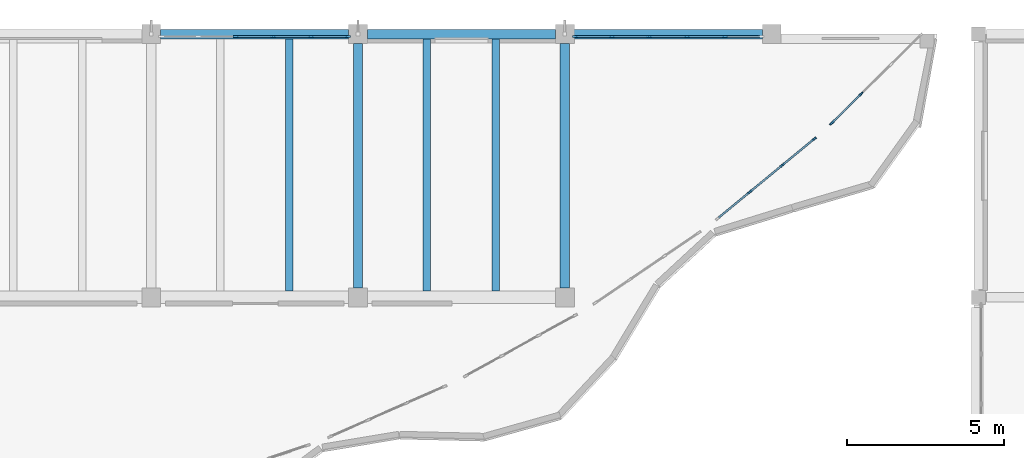
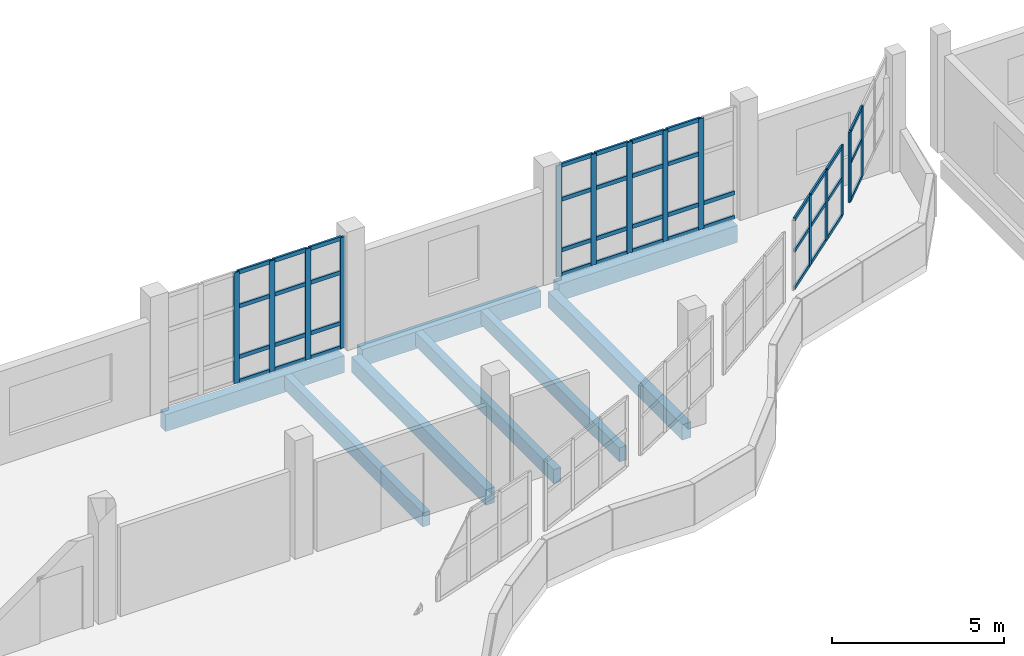
# One storey, part 30 of 74: 56 members, 8 beams, 4 elements without a shape of their own.
"""IFC4 building model written with IfcOpenShell, lengths in metres."""

from ifc_helpers import new_model, si_unit, direction, frame, origin, origin_2d, place, context, subcontext, project, spatial, rectangle, extrude, material, material_profile, profile_set, type_object, element, aggregate, save


model = new_model("IFC4")

# Units and contexts
model_context = context("Model", 3, precision=1e-05, world=origin(), true_north=direction((0.0, 1.0)))
body_context = subcontext(model_context, "Body", "Model", "MODEL_VIEW")
ifc_project = project(units=[si_unit("LENGTHUNIT", "METRE"), si_unit("AREAUNIT", "SQUARE_METRE"), si_unit("VOLUMEUNIT", "CUBIC_METRE"), si_unit("PLANEANGLEUNIT", "RADIAN"), si_unit("MASSUNIT", "GRAM", prefix="KILO")], contexts=[model_context])

# Site, building, storey
site_placement = place(None, origin())
site = spatial("IfcSite", under=ifc_project, at=site_placement, CompositionType="ELEMENT")
building_placement = place(site_placement, origin())
building = spatial("IfcBuilding", under=site, at=building_placement, Name="Qaldarim Faculty of Natural and Applied Sciences", CompositionType="ELEMENT")
storey_placement = place(building_placement, frame((0.0, 0.0, 14.39990234375)))
storey = spatial("IfcBuildingStorey", under=building, at=storey_placement, Name="L03", CompositionType="ELEMENT", Elevation=14.39990234375)

# Beams
ifc_material_1 = material(Name="Concrete C40/50", Category="concrete")
ifc_material_profile_1 = material_profile(ifc_material_1, rectangle(XDim=0.300048828125, YDim=0.550048828125, at=origin_2d()), Name="RC-B300x550")
ifc_profile_set_1 = profile_set([ifc_material_profile_1], Name="Concrete C40/50")
beam_type_1 = type_object("IfcBeamType", Name="FloorBeam-RC300x550", PredefinedType="BEAM", material=ifc_profile_set_1)
for number, where, z_axis, x_axis, name in (
    (1, (132.0, 109.5, -0.534912109375), (0.0, 1.0, 0.0), (-1.0, 0.0, 0.0), "Beam RC-B300x550 L02 X21/Y14-Y15"),
    (2, (138.60009765625, 109.5, -0.534912109375), (0.0, 1.0, 0.0), (-1.0, 0.0, 0.0), "Beam RC-B300x550 L02 X22/Y14-Y15"),
):
    element("IfcBeam", number, at=place(storey_placement, frame(where, z_axis=z_axis, x_axis=x_axis)), inside=storey, type_object=beam_type_1, Name=name, PredefinedType="BEAM", context=body_context, shape_type="SweptSolid", body=[
        extrude(rectangle(XDim=0.300048828125, YDim=0.550048828125, at=origin_2d()), origin(), (0.0, 0.0, 1.0), 7.800048828125),
    ])
ifc_material_profile_2 = material_profile(ifc_material_1, rectangle(XDim=0.239990234375, YDim=0.5, at=origin_2d()), Name="RC-J240x500")
ifc_profile_set_2 = profile_set([ifc_material_profile_2], Name="Concrete C40/50")
beam_type_2 = type_object("IfcBeamType", Name="HeavyJoist-RC240x500", PredefinedType="JOIST", material=ifc_profile_set_2)
for number, where, z_axis, x_axis, name in (
    (3, (129.800048828125, 109.39990234375, -0.510009765625), (0.0, 1.0, 0.0), (-1.0, 0.0, 0.0), "Laboratory joist L02 bay X20Y14-2"),
    (4, (134.199951171875, 109.39990234375, -0.510009765625), (0.0, 1.0, 0.0), (-1.0, 0.0, 0.0), "Laboratory joist L02 bay X21Y14-1"),
    (5, (136.39990234375, 109.39990234375, -0.510009765625), (0.0, 1.0, 0.0), (-1.0, 0.0, 0.0), "Laboratory joist L02 bay X21Y14-2"),
):
    element("IfcBeam", number, at=place(storey_placement, frame(where, z_axis=z_axis, x_axis=x_axis)), inside=storey, type_object=beam_type_2, Name=name, PredefinedType="JOIST", context=body_context, shape_type="SweptSolid", body=[
        extrude(rectangle(XDim=0.239990234375, YDim=0.5, at=origin_2d()), origin(), (0.0, 0.0, 1.0), 8.050048828125),
    ])

# Curtain wall, members
ifc_material_2 = material(Name="Anodised aluminium AW-6063", Category="aluminium")
curtain_wall_type_1 = type_object("IfcCurtainWallType", Name="CurtainWallSystem-M1400", PredefinedType="USERDEFINED", material=ifc_material_2)
curtain_wall_1_placement = place(storey_placement, origin())
curtain_wall_1 = element("IfcCurtainWall", 6, at=curtain_wall_1_placement, inside=storey, type_object=curtain_wall_type_1, Name="Curtain wall CW-V4ARC-L03-14", ObjectType="STICK CURTAIN WALL", PredefinedType="USERDEFINED")
ifc_material_profile_3 = material_profile(ifc_material_2, rectangle(XDim=0.06005859375, YDim=0.14990234375, at=origin_2d()), Name="ALU-M60x150")
ifc_profile_set_3 = profile_set([ifc_material_profile_3], Name="Anodised aluminium AW-6063")
member_type_1 = type_object("IfcMemberType", Name="Mullion-ALU60x150", PredefinedType="MULLION", material=ifc_profile_set_3)
member_1_placement = place(storey_placement, frame((144.49658203125, 112.558349609375, 1.4501953125), z_axis=(0.0, 0.0, 1.0), x_axis=(-0.635930067271, 0.771746687418, 0.0)))
member_1 = element("IfcMember", 7, at=member_1_placement, type_object=member_type_1, Name="Mullion 2 of CW-V4ARC-L03-14", PredefinedType="MULLION", context=body_context, shape_type="SweptSolid", body=[
    extrude(rectangle(XDim=0.06005859375, YDim=0.14990234375, at=origin_2d()), origin(), (0.0, 0.0, 1.0), 2.489990234375),
])
member_2_placement = place(storey_placement, frame((145.538330078125, 113.416748046875, 1.4501953125), z_axis=(0.0, 0.0, 1.0), x_axis=(-0.635930067271, 0.771746687418, 0.0)))
member_2 = element("IfcMember", 8, at=member_2_placement, type_object=member_type_1, Name="Mullion 3 of CW-V4ARC-L03-14", PredefinedType="MULLION", context=body_context, shape_type="SweptSolid", body=[
    extrude(rectangle(XDim=0.06005859375, YDim=0.14990234375, at=origin_2d()), origin(), (0.0, 0.0, 1.0), 2.489990234375),
])
member_3_placement = place(storey_placement, frame((146.556884765625, 114.255859375, 1.4501953125), z_axis=(0.0, 0.0, 1.0), x_axis=(-0.635930067271, 0.771746687418, 0.0)))
member_3 = element("IfcMember", 9, at=member_3_placement, type_object=member_type_1, Name="Mullion 4 of CW-V4ARC-L03-14", PredefinedType="MULLION", context=body_context, shape_type="SweptSolid", body=[
    extrude(rectangle(XDim=0.06005859375, YDim=0.14990234375, at=origin_2d()), origin(), (0.0, 0.0, 1.0), 2.489990234375),
])

curtain_wall_2_placement = place(storey_placement, origin())
curtain_wall_2 = element("IfcCurtainWall", 10, at=curtain_wall_2_placement, inside=storey, type_object=curtain_wall_type_1, Name="Curtain wall CW-V4ARC-L03-16", ObjectType="STICK CURTAIN WALL", PredefinedType="USERDEFINED")
member_4_placement = place(storey_placement, frame((147.1162109375, 114.760986328125, 1.4501953125), z_axis=(0.0, 0.0, 1.0), x_axis=(-0.704014724456, 0.710185375623, 0.0)))
member_4 = element("IfcMember", 11, at=member_4_placement, type_object=member_type_1, Name="Mullion 1 of CW-V4ARC-L03-16", PredefinedType="MULLION", context=body_context, shape_type="SweptSolid", body=[
    extrude(rectangle(XDim=0.06005859375, YDim=0.14990234375, at=origin_2d()), origin(), (0.0, 0.0, 1.0), 2.489990234375),
])
member_5_placement = place(storey_placement, frame((148.05322265625, 115.68994140625, 1.4501953125), z_axis=(0.0, 0.0, 1.0), x_axis=(-0.704014724456, 0.710185375623, 0.0)))
member_5 = element("IfcMember", 12, at=member_5_placement, type_object=member_type_1, Name="Mullion 2 of CW-V4ARC-L03-16", PredefinedType="MULLION", context=body_context, shape_type="SweptSolid", body=[
    extrude(rectangle(XDim=0.06005859375, YDim=0.14990234375, at=origin_2d()), origin(), (0.0, 0.0, 1.0), 2.489990234375),
])

curtain_wall_type_2 = type_object("IfcCurtainWallType", Name="CurtainWallSystem-M1200", PredefinedType="USERDEFINED", material=ifc_material_2)
curtain_wall_3_placement = place(storey_placement, origin())
curtain_wall_3 = element("IfcCurtainWall", 13, at=curtain_wall_3_placement, inside=storey, type_object=curtain_wall_type_2, Name="Curtain wall CW-L03-N-X20Y14", ObjectType="STICK CURTAIN WALL", PredefinedType="USERDEFINED")
ifc_material_profile_4 = material_profile(ifc_material_2, rectangle(XDim=0.070068359375, YDim=0.179931640625, at=origin_2d()), Name="ALU-M70x180")
ifc_profile_set_4 = profile_set([ifc_material_profile_4], Name="Anodised aluminium AW-6063")
member_type_2 = type_object("IfcMemberType", Name="Mullion-ALU70x180", PredefinedType="MULLION", material=ifc_profile_set_4)
member_6_placement = place(storey_placement, frame((131.669921875, 117.52001953125, 0.0), z_axis=(0.0, 0.0, 1.0), x_axis=(0.0, -1.0, 0.0)))
member_6 = element("IfcMember", 14, at=member_6_placement, type_object=member_type_2, Name="Mullion 1 of CW-L03-N-X20Y14", PredefinedType="MULLION", context=body_context, shape_type="SweptSolid", body=[
    extrude(rectangle(XDim=0.070068359375, YDim=0.179931640625, at=origin_2d()), origin(), (0.0, 0.0, 1.0), 3.940185546875),
])
member_7_placement = place(storey_placement, frame((130.5029296875, 117.52001953125, 0.0), z_axis=(0.0, 0.0, 1.0), x_axis=(0.0, -1.0, 0.0)))
member_7 = element("IfcMember", 15, at=member_7_placement, type_object=member_type_2, Name="Mullion 2 of CW-L03-N-X20Y14", PredefinedType="MULLION", context=body_context, shape_type="SweptSolid", body=[
    extrude(rectangle(XDim=0.070068359375, YDim=0.179931640625, at=origin_2d()), origin(), (0.0, 0.0, 1.0), 3.940185546875),
])
member_8_placement = place(storey_placement, frame((129.301025390625, 117.52001953125, 0.0), z_axis=(0.0, 0.0, 1.0), x_axis=(0.0, -1.0, 0.0)))
member_8 = element("IfcMember", 16, at=member_8_placement, type_object=member_type_2, Name="Mullion 3 of CW-L03-N-X20Y14", PredefinedType="MULLION", context=body_context, shape_type="SweptSolid", body=[
    extrude(rectangle(XDim=0.070068359375, YDim=0.179931640625, at=origin_2d()), origin(), (0.0, 0.0, 1.0), 3.940185546875),
])
member_9_placement = place(storey_placement, frame((128.09912109375, 117.52001953125, 0.0), z_axis=(0.0, 0.0, 1.0), x_axis=(0.0, -1.0, 0.0)))
member_9 = element("IfcMember", 17, at=member_9_placement, type_object=member_type_2, Name="Mullion 4 of CW-L03-N-X20Y14", PredefinedType="MULLION", context=body_context, shape_type="SweptSolid", body=[
    extrude(rectangle(XDim=0.070068359375, YDim=0.179931640625, at=origin_2d()), origin(), (0.0, 0.0, 1.0), 3.940185546875),
])

curtain_wall_4_placement = place(storey_placement, origin())
curtain_wall_4 = element("IfcCurtainWall", 18, at=curtain_wall_4_placement, inside=storey, type_object=curtain_wall_type_2, Name="Curtain wall CW-L03-N-X22Y14", ObjectType="STICK CURTAIN WALL", PredefinedType="USERDEFINED")
member_10_placement = place(storey_placement, frame((143.702880859375, 117.52001953125, 0.0), z_axis=(0.0, 0.0, 1.0), x_axis=(0.0, -1.0, 0.0)))
member_10 = element("IfcMember", 19, at=member_10_placement, type_object=member_type_2, Name="Mullion 2 of CW-L03-N-X22Y14", PredefinedType="MULLION", context=body_context, shape_type="SweptSolid", body=[
    extrude(rectangle(XDim=0.070068359375, YDim=0.179931640625, at=origin_2d()), origin(), (0.0, 0.0, 1.0), 3.940185546875),
])
member_11_placement = place(storey_placement, frame((142.5009765625, 117.52001953125, 0.0), z_axis=(0.0, 0.0, 1.0), x_axis=(0.0, -1.0, 0.0)))
member_11 = element("IfcMember", 20, at=member_11_placement, type_object=member_type_2, Name="Mullion 3 of CW-L03-N-X22Y14", PredefinedType="MULLION", context=body_context, shape_type="SweptSolid", body=[
    extrude(rectangle(XDim=0.070068359375, YDim=0.179931640625, at=origin_2d()), origin(), (0.0, 0.0, 1.0), 3.940185546875),
])
member_12_placement = place(storey_placement, frame((141.299072265625, 117.52001953125, 0.0), z_axis=(0.0, 0.0, 1.0), x_axis=(0.0, -1.0, 0.0)))
member_12 = element("IfcMember", 21, at=member_12_placement, type_object=member_type_2, Name="Mullion 4 of CW-L03-N-X22Y14", PredefinedType="MULLION", context=body_context, shape_type="SweptSolid", body=[
    extrude(rectangle(XDim=0.070068359375, YDim=0.179931640625, at=origin_2d()), origin(), (0.0, 0.0, 1.0), 3.940185546875),
])
member_13_placement = place(storey_placement, frame((140.096923828125, 117.52001953125, 0.0), z_axis=(0.0, 0.0, 1.0), x_axis=(0.0, -1.0, 0.0)))
member_13 = element("IfcMember", 22, at=member_13_placement, type_object=member_type_2, Name="Mullion 5 of CW-L03-N-X22Y14", PredefinedType="MULLION", context=body_context, shape_type="SweptSolid", body=[
    extrude(rectangle(XDim=0.070068359375, YDim=0.179931640625, at=origin_2d()), origin(), (0.0, 0.0, 1.0), 3.940185546875),
])
member_14_placement = place(storey_placement, frame((138.929931640625, 117.52001953125, 0.0), z_axis=(0.0, 0.0, 1.0), x_axis=(0.0, -1.0, 0.0)))
member_14 = element("IfcMember", 23, at=member_14_placement, type_object=member_type_2, Name="Mullion 6 of CW-L03-N-X22Y14", PredefinedType="MULLION", context=body_context, shape_type="SweptSolid", body=[
    extrude(rectangle(XDim=0.070068359375, YDim=0.179931640625, at=origin_2d()), origin(), (0.0, 0.0, 1.0), 3.940185546875),
])

# Beams
ifc_material_3 = material(Name="Precast concrete C40/50", Category="concrete")
ifc_material_profile_5 = material_profile(ifc_material_3, rectangle(XDim=0.300048828125, YDim=0.60009765625, at=origin_2d()), Name="RC-SP300x600")
ifc_profile_set_5 = profile_set([ifc_material_profile_5], Name="Precast concrete C40/50")
beam_type_3 = type_object("IfcBeamType", Name="SpandrelBeam-RC300x600", PredefinedType="SPANDREL", material=ifc_profile_set_5)
for number, where, z_axis, x_axis, name in (
    (24, (125.699951171875, 117.60009765625, -0.559814453125), (1.0, 0.0, 0.0), (0.0, 1.0, 0.0), "Beam RC-SP300x600 L02 X20-X21/Y15"),
    (25, (132.300048828125, 117.60009765625, -0.559814453125), (1.0, 0.0, 0.0), (0.0, 1.0, 0.0), "Beam RC-SP300x600 L02 X21-X22/Y15"),
    (26, (138.89990234375, 117.60009765625, -0.559814453125), (1.0, 0.0, 0.0), (0.0, 1.0, 0.0), "Beam RC-SP300x600 L02 X22-X23/Y15"),
):
    element("IfcBeam", number, at=place(storey_placement, frame(where, z_axis=z_axis, x_axis=x_axis)), inside=storey, type_object=beam_type_3, Name=name, PredefinedType="SPANDREL", context=body_context, shape_type="SweptSolid", body=[
        extrude(rectangle(XDim=0.300048828125, YDim=0.60009765625, at=origin_2d()), origin(), (0.0, 0.0, 1.0), 6.0),
    ])

# Member
ifc_material_profile_6 = material_profile(ifc_material_2, rectangle(XDim=0.06005859375, YDim=0.1201171875, at=origin_2d()), Name="ALU-T60x120")
ifc_profile_set_6 = profile_set([ifc_material_profile_6], Name="Anodised aluminium AW-6063")
member_type_3 = type_object("IfcMemberType", Name="Transom-ALU60x120", PredefinedType="USERDEFINED", material=ifc_profile_set_6)
member_15_placement = place(storey_placement, frame((143.501220703125, 111.73828125, 1.47998046875), z_axis=(0.77176796605, 0.635904243247, 0.0), x_axis=(-0.635904243247, 0.77176796605, 0.0)))
member_15 = element("IfcMember", 27, at=member_15_placement, type_object=member_type_3, Name="Transom 1-1 of CW-V4ARC-L03-14", ObjectType="TRANSOM", PredefinedType="USERDEFINED", context=body_context, shape_type="SweptSolid", body=[
    extrude(rectangle(XDim=0.06005859375, YDim=0.1201171875, at=origin_2d()), origin(), (0.0, 0.0, 1.0), 1.259765625),
])

member_16_placement = place(storey_placement, frame((143.501220703125, 111.73828125, 2.800048828125), z_axis=(0.77176796605, 0.635904243247, 0.0), x_axis=(-0.635904243247, 0.77176796605, 0.0)))
member_16 = element("IfcMember", 28, at=member_16_placement, type_object=member_type_3, Name="Transom 1-2 of CW-V4ARC-L03-14", ObjectType="TRANSOM", PredefinedType="USERDEFINED", context=body_context, shape_type="SweptSolid", body=[
    extrude(rectangle(XDim=0.06005859375, YDim=0.1201171875, at=origin_2d()), origin(), (0.0, 0.0, 1.0), 1.259765625),
])

member_17_placement = place(storey_placement, frame((143.501220703125, 111.73828125, 3.91015625), z_axis=(0.77176796605, 0.635904243247, 0.0), x_axis=(-0.635904243247, 0.77176796605, 0.0)))
member_17 = element("IfcMember", 29, at=member_17_placement, type_object=member_type_3, Name="Transom 1-3 of CW-V4ARC-L03-14", ObjectType="TRANSOM", PredefinedType="USERDEFINED", context=body_context, shape_type="SweptSolid", body=[
    extrude(rectangle(XDim=0.06005859375, YDim=0.1201171875, at=origin_2d()), origin(), (0.0, 0.0, 1.0), 1.259765625),
])

member_18_placement = place(storey_placement, frame((144.519775390625, 112.577392578125, 1.47998046875), z_axis=(0.771700705887, 0.635985865043, 0.0), x_axis=(-0.635985865043, 0.771700705887, 0.0)))
member_18 = element("IfcMember", 30, at=member_18_placement, type_object=member_type_3, Name="Transom 2-1 of CW-V4ARC-L03-14", ObjectType="TRANSOM", PredefinedType="USERDEFINED", context=body_context, shape_type="SweptSolid", body=[
    extrude(rectangle(XDim=0.06005859375, YDim=0.1201171875, at=origin_2d()), origin(), (0.0, 0.0, 1.0), 1.289794921875),
])

member_19_placement = place(storey_placement, frame((144.519775390625, 112.577392578125, 2.800048828125), z_axis=(0.771700705887, 0.635985865043, 0.0), x_axis=(-0.635985865043, 0.771700705887, 0.0)))
member_19 = element("IfcMember", 31, at=member_19_placement, type_object=member_type_3, Name="Transom 2-2 of CW-V4ARC-L03-14", ObjectType="TRANSOM", PredefinedType="USERDEFINED", context=body_context, shape_type="SweptSolid", body=[
    extrude(rectangle(XDim=0.06005859375, YDim=0.1201171875, at=origin_2d()), origin(), (0.0, 0.0, 1.0), 1.289794921875),
])

member_20_placement = place(storey_placement, frame((144.519775390625, 112.577392578125, 3.91015625), z_axis=(0.771700705887, 0.635985865043, 0.0), x_axis=(-0.635985865043, 0.771700705887, 0.0)))
member_20 = element("IfcMember", 32, at=member_20_placement, type_object=member_type_3, Name="Transom 2-3 of CW-V4ARC-L03-14", ObjectType="TRANSOM", PredefinedType="USERDEFINED", context=body_context, shape_type="SweptSolid", body=[
    extrude(rectangle(XDim=0.06005859375, YDim=0.1201171875, at=origin_2d()), origin(), (0.0, 0.0, 1.0), 1.289794921875),
])

member_21_placement = place(storey_placement, frame((145.5615234375, 113.435791015625, 1.47998046875), z_axis=(0.77176796605, 0.635904243247, 0.0), x_axis=(-0.635904243247, 0.77176796605, 0.0)))
member_21 = element("IfcMember", 33, at=member_21_placement, type_object=member_type_3, Name="Transom 3-1 of CW-V4ARC-L03-14", ObjectType="TRANSOM", PredefinedType="USERDEFINED", context=body_context, shape_type="SweptSolid", body=[
    extrude(rectangle(XDim=0.06005859375, YDim=0.1201171875, at=origin_2d()), origin(), (0.0, 0.0, 1.0), 1.259765625),
])

member_22_placement = place(storey_placement, frame((145.5615234375, 113.435791015625, 2.800048828125), z_axis=(0.77176796605, 0.635904243247, 0.0), x_axis=(-0.635904243247, 0.77176796605, 0.0)))
member_22 = element("IfcMember", 34, at=member_22_placement, type_object=member_type_3, Name="Transom 3-2 of CW-V4ARC-L03-14", ObjectType="TRANSOM", PredefinedType="USERDEFINED", context=body_context, shape_type="SweptSolid", body=[
    extrude(rectangle(XDim=0.06005859375, YDim=0.1201171875, at=origin_2d()), origin(), (0.0, 0.0, 1.0), 1.259765625),
])

member_23_placement = place(storey_placement, frame((145.5615234375, 113.435791015625, 3.91015625), z_axis=(0.77176796605, 0.635904243247, 0.0), x_axis=(-0.635904243247, 0.77176796605, 0.0)))
member_23 = element("IfcMember", 35, at=member_23_placement, type_object=member_type_3, Name="Transom 3-3 of CW-V4ARC-L03-14", ObjectType="TRANSOM", PredefinedType="USERDEFINED", context=body_context, shape_type="SweptSolid", body=[
    extrude(rectangle(XDim=0.06005859375, YDim=0.1201171875, at=origin_2d()), origin(), (0.0, 0.0, 1.0), 1.259765625),
])

aggregate(curtain_wall_1, [member_1, member_2, member_3, member_15, member_16, member_17, member_18, member_19, member_20, member_21, member_22, member_23])

member_24_placement = place(storey_placement, frame((147.1376953125, 114.7822265625, 1.47998046875), z_axis=(0.71010520996, 0.704095583559, 0.0), x_axis=(-0.704095583559, 0.71010520996, 0.0)))
member_24 = element("IfcMember", 36, at=member_24_placement, type_object=member_type_3, Name="Transom 1-1 of CW-V4ARC-L03-16", ObjectType="TRANSOM", PredefinedType="USERDEFINED", context=body_context, shape_type="SweptSolid", body=[
    extrude(rectangle(XDim=0.06005859375, YDim=0.1201171875, at=origin_2d()), origin(), (0.0, 0.0, 1.0), 1.25927734375),
])

member_25_placement = place(storey_placement, frame((147.1376953125, 114.7822265625, 2.800048828125), z_axis=(0.71010520996, 0.704095583559, 0.0), x_axis=(-0.704095583559, 0.71010520996, 0.0)))
member_25 = element("IfcMember", 37, at=member_25_placement, type_object=member_type_3, Name="Transom 1-2 of CW-V4ARC-L03-16", ObjectType="TRANSOM", PredefinedType="USERDEFINED", context=body_context, shape_type="SweptSolid", body=[
    extrude(rectangle(XDim=0.06005859375, YDim=0.1201171875, at=origin_2d()), origin(), (0.0, 0.0, 1.0), 1.25927734375),
])

member_26_placement = place(storey_placement, frame((147.1376953125, 114.7822265625, 3.91015625), z_axis=(0.71010520996, 0.704095583559, 0.0), x_axis=(-0.704095583559, 0.71010520996, 0.0)))
member_26 = element("IfcMember", 38, at=member_26_placement, type_object=member_type_3, Name="Transom 1-3 of CW-V4ARC-L03-16", ObjectType="TRANSOM", PredefinedType="USERDEFINED", context=body_context, shape_type="SweptSolid", body=[
    extrude(rectangle(XDim=0.06005859375, YDim=0.1201171875, at=origin_2d()), origin(), (0.0, 0.0, 1.0), 1.25927734375),
])

aggregate(curtain_wall_2, [member_4, member_5, member_24, member_25, member_26])

ifc_material_profile_7 = material_profile(ifc_material_2, rectangle(XDim=0.070068359375, YDim=0.139892578125, at=origin_2d()), Name="ALU-T70x140")
ifc_profile_set_7 = profile_set([ifc_material_profile_7], Name="Anodised aluminium AW-6063")
member_type_4 = type_object("IfcMemberType", Name="Transom-ALU70x140", PredefinedType="USERDEFINED", material=ifc_profile_set_7)
member_27_placement = place(storey_placement, frame((131.635009765625, 117.52001953125, 0.03515625), z_axis=(-1.0, 0.0, 0.0), x_axis=(0.0, -1.0, 0.0)))
member_27 = element("IfcMember", 39, at=member_27_placement, type_object=member_type_4, Name="Transom 1-1 of CW-L03-N-X20Y14", ObjectType="TRANSOM", PredefinedType="USERDEFINED", context=body_context, shape_type="SweptSolid", body=[
    extrude(rectangle(XDim=0.070068359375, YDim=0.139892578125, at=origin_2d()), origin(), (0.0, 0.0, 1.0), 1.096923828125),
])

member_28_placement = place(storey_placement, frame((131.635009765625, 117.52001953125, 0.900146484375), z_axis=(-1.0, 0.0, 0.0), x_axis=(0.0, -1.0, 0.0)))
member_28 = element("IfcMember", 40, at=member_28_placement, type_object=member_type_4, Name="Transom 1-2 of CW-L03-N-X20Y14", ObjectType="TRANSOM", PredefinedType="USERDEFINED", context=body_context, shape_type="SweptSolid", body=[
    extrude(rectangle(XDim=0.070068359375, YDim=0.139892578125, at=origin_2d()), origin(), (0.0, 0.0, 1.0), 1.096923828125),
])

member_29_placement = place(storey_placement, frame((131.635009765625, 117.52001953125, 2.7001953125), z_axis=(-1.0, 0.0, 0.0), x_axis=(0.0, -1.0, 0.0)))
member_29 = element("IfcMember", 41, at=member_29_placement, type_object=member_type_4, Name="Transom 1-3 of CW-L03-N-X20Y14", ObjectType="TRANSOM", PredefinedType="USERDEFINED", context=body_context, shape_type="SweptSolid", body=[
    extrude(rectangle(XDim=0.070068359375, YDim=0.139892578125, at=origin_2d()), origin(), (0.0, 0.0, 1.0), 1.096923828125),
])

member_30_placement = place(storey_placement, frame((131.635009765625, 117.52001953125, 3.905029296875), z_axis=(-1.0, 0.0, 0.0), x_axis=(0.0, -1.0, 0.0)))
member_30 = element("IfcMember", 42, at=member_30_placement, type_object=member_type_4, Name="Transom 1-4 of CW-L03-N-X20Y14", ObjectType="TRANSOM", PredefinedType="USERDEFINED", context=body_context, shape_type="SweptSolid", body=[
    extrude(rectangle(XDim=0.070068359375, YDim=0.139892578125, at=origin_2d()), origin(), (0.0, 0.0, 1.0), 1.096923828125),
])

member_31_placement = place(storey_placement, frame((130.468017578125, 117.52001953125, 0.03515625), z_axis=(-1.0, 0.0, 0.0), x_axis=(0.0, -1.0, 0.0)))
member_31 = element("IfcMember", 43, at=member_31_placement, type_object=member_type_4, Name="Transom 2-1 of CW-L03-N-X20Y14", ObjectType="TRANSOM", PredefinedType="USERDEFINED", context=body_context, shape_type="SweptSolid", body=[
    extrude(rectangle(XDim=0.070068359375, YDim=0.139892578125, at=origin_2d()), origin(), (0.0, 0.0, 1.0), 1.132080078125),
])

member_32_placement = place(storey_placement, frame((130.468017578125, 117.52001953125, 0.900146484375), z_axis=(-1.0, 0.0, 0.0), x_axis=(0.0, -1.0, 0.0)))
member_32 = element("IfcMember", 44, at=member_32_placement, type_object=member_type_4, Name="Transom 2-2 of CW-L03-N-X20Y14", ObjectType="TRANSOM", PredefinedType="USERDEFINED", context=body_context, shape_type="SweptSolid", body=[
    extrude(rectangle(XDim=0.070068359375, YDim=0.139892578125, at=origin_2d()), origin(), (0.0, 0.0, 1.0), 1.132080078125),
])

member_33_placement = place(storey_placement, frame((130.468017578125, 117.52001953125, 2.7001953125), z_axis=(-1.0, 0.0, 0.0), x_axis=(0.0, -1.0, 0.0)))
member_33 = element("IfcMember", 45, at=member_33_placement, type_object=member_type_4, Name="Transom 2-3 of CW-L03-N-X20Y14", ObjectType="TRANSOM", PredefinedType="USERDEFINED", context=body_context, shape_type="SweptSolid", body=[
    extrude(rectangle(XDim=0.070068359375, YDim=0.139892578125, at=origin_2d()), origin(), (0.0, 0.0, 1.0), 1.132080078125),
])

member_34_placement = place(storey_placement, frame((130.468017578125, 117.52001953125, 3.905029296875), z_axis=(-1.0, 0.0, 0.0), x_axis=(0.0, -1.0, 0.0)))
member_34 = element("IfcMember", 46, at=member_34_placement, type_object=member_type_4, Name="Transom 2-4 of CW-L03-N-X20Y14", ObjectType="TRANSOM", PredefinedType="USERDEFINED", context=body_context, shape_type="SweptSolid", body=[
    extrude(rectangle(XDim=0.070068359375, YDim=0.139892578125, at=origin_2d()), origin(), (0.0, 0.0, 1.0), 1.132080078125),
])

member_35_placement = place(storey_placement, frame((129.26611328125, 117.52001953125, 0.03515625), z_axis=(-1.0, 0.0, 0.0), x_axis=(0.0, -1.0, 0.0)))
member_35 = element("IfcMember", 47, at=member_35_placement, type_object=member_type_4, Name="Transom 3-1 of CW-L03-N-X20Y14", ObjectType="TRANSOM", PredefinedType="USERDEFINED", context=body_context, shape_type="SweptSolid", body=[
    extrude(rectangle(XDim=0.070068359375, YDim=0.139892578125, at=origin_2d()), origin(), (0.0, 0.0, 1.0), 1.132080078125),
])

member_36_placement = place(storey_placement, frame((129.26611328125, 117.52001953125, 0.900146484375), z_axis=(-1.0, 0.0, 0.0), x_axis=(0.0, -1.0, 0.0)))
member_36 = element("IfcMember", 48, at=member_36_placement, type_object=member_type_4, Name="Transom 3-2 of CW-L03-N-X20Y14", ObjectType="TRANSOM", PredefinedType="USERDEFINED", context=body_context, shape_type="SweptSolid", body=[
    extrude(rectangle(XDim=0.070068359375, YDim=0.139892578125, at=origin_2d()), origin(), (0.0, 0.0, 1.0), 1.132080078125),
])

member_37_placement = place(storey_placement, frame((129.26611328125, 117.52001953125, 2.7001953125), z_axis=(-1.0, 0.0, 0.0), x_axis=(0.0, -1.0, 0.0)))
member_37 = element("IfcMember", 49, at=member_37_placement, type_object=member_type_4, Name="Transom 3-3 of CW-L03-N-X20Y14", ObjectType="TRANSOM", PredefinedType="USERDEFINED", context=body_context, shape_type="SweptSolid", body=[
    extrude(rectangle(XDim=0.070068359375, YDim=0.139892578125, at=origin_2d()), origin(), (0.0, 0.0, 1.0), 1.132080078125),
])

member_38_placement = place(storey_placement, frame((129.26611328125, 117.52001953125, 3.905029296875), z_axis=(-1.0, 0.0, 0.0), x_axis=(0.0, -1.0, 0.0)))
member_38 = element("IfcMember", 50, at=member_38_placement, type_object=member_type_4, Name="Transom 3-4 of CW-L03-N-X20Y14", ObjectType="TRANSOM", PredefinedType="USERDEFINED", context=body_context, shape_type="SweptSolid", body=[
    extrude(rectangle(XDim=0.070068359375, YDim=0.139892578125, at=origin_2d()), origin(), (0.0, 0.0, 1.0), 1.132080078125),
])

aggregate(curtain_wall_3, [member_6, member_7, member_8, member_9, member_27, member_28, member_29, member_30, member_31, member_32, member_33, member_34, member_35, member_36, member_37, member_38])

member_39_placement = place(storey_placement, frame((144.8349609375, 117.52001953125, 0.03515625), z_axis=(-1.0, 0.0, 0.0), x_axis=(0.0, -1.0, 0.0)))
member_39 = element("IfcMember", 51, at=member_39_placement, type_object=member_type_4, Name="Transom 1-1 of CW-L03-N-X22Y14", ObjectType="TRANSOM", PredefinedType="USERDEFINED", context=body_context, shape_type="SweptSolid", body=[
    extrude(rectangle(XDim=0.070068359375, YDim=0.139892578125, at=origin_2d()), origin(), (0.0, 0.0, 1.0), 1.096923828125),
])

member_40_placement = place(storey_placement, frame((144.8349609375, 117.52001953125, 0.900146484375), z_axis=(-1.0, 0.0, 0.0), x_axis=(0.0, -1.0, 0.0)))
member_40 = element("IfcMember", 52, at=member_40_placement, type_object=member_type_4, Name="Transom 1-2 of CW-L03-N-X22Y14", ObjectType="TRANSOM", PredefinedType="USERDEFINED", context=body_context, shape_type="SweptSolid", body=[
    extrude(rectangle(XDim=0.070068359375, YDim=0.139892578125, at=origin_2d()), origin(), (0.0, 0.0, 1.0), 1.096923828125),
])

member_41_placement = place(storey_placement, frame((143.66796875, 117.52001953125, 0.03515625), z_axis=(-1.0, 0.0, 0.0), x_axis=(0.0, -1.0, 0.0)))
member_41 = element("IfcMember", 53, at=member_41_placement, type_object=member_type_4, Name="Transom 2-1 of CW-L03-N-X22Y14", ObjectType="TRANSOM", PredefinedType="USERDEFINED", context=body_context, shape_type="SweptSolid", body=[
    extrude(rectangle(XDim=0.070068359375, YDim=0.139892578125, at=origin_2d()), origin(), (0.0, 0.0, 1.0), 1.132080078125),
])

member_42_placement = place(storey_placement, frame((143.66796875, 117.52001953125, 0.900146484375), z_axis=(-1.0, 0.0, 0.0), x_axis=(0.0, -1.0, 0.0)))
member_42 = element("IfcMember", 54, at=member_42_placement, type_object=member_type_4, Name="Transom 2-2 of CW-L03-N-X22Y14", ObjectType="TRANSOM", PredefinedType="USERDEFINED", context=body_context, shape_type="SweptSolid", body=[
    extrude(rectangle(XDim=0.070068359375, YDim=0.139892578125, at=origin_2d()), origin(), (0.0, 0.0, 1.0), 1.132080078125),
])

member_43_placement = place(storey_placement, frame((143.66796875, 117.52001953125, 2.7001953125), z_axis=(-1.0, 0.0, 0.0), x_axis=(0.0, -1.0, 0.0)))
member_43 = element("IfcMember", 55, at=member_43_placement, type_object=member_type_4, Name="Transom 2-3 of CW-L03-N-X22Y14", ObjectType="TRANSOM", PredefinedType="USERDEFINED", context=body_context, shape_type="SweptSolid", body=[
    extrude(rectangle(XDim=0.070068359375, YDim=0.139892578125, at=origin_2d()), origin(), (0.0, 0.0, 1.0), 1.132080078125),
])

member_44_placement = place(storey_placement, frame((143.66796875, 117.52001953125, 3.905029296875), z_axis=(-1.0, 0.0, 0.0), x_axis=(0.0, -1.0, 0.0)))
member_44 = element("IfcMember", 56, at=member_44_placement, type_object=member_type_4, Name="Transom 2-4 of CW-L03-N-X22Y14", ObjectType="TRANSOM", PredefinedType="USERDEFINED", context=body_context, shape_type="SweptSolid", body=[
    extrude(rectangle(XDim=0.070068359375, YDim=0.139892578125, at=origin_2d()), origin(), (0.0, 0.0, 1.0), 1.132080078125),
])

member_45_placement = place(storey_placement, frame((142.466064453125, 117.52001953125, 0.03515625), z_axis=(-1.0, 0.0, 0.0), x_axis=(0.0, -1.0, 0.0)))
member_45 = element("IfcMember", 57, at=member_45_placement, type_object=member_type_4, Name="Transom 3-1 of CW-L03-N-X22Y14", ObjectType="TRANSOM", PredefinedType="USERDEFINED", context=body_context, shape_type="SweptSolid", body=[
    extrude(rectangle(XDim=0.070068359375, YDim=0.139892578125, at=origin_2d()), origin(), (0.0, 0.0, 1.0), 1.132080078125),
])

member_46_placement = place(storey_placement, frame((142.466064453125, 117.52001953125, 0.900146484375), z_axis=(-1.0, 0.0, 0.0), x_axis=(0.0, -1.0, 0.0)))
member_46 = element("IfcMember", 58, at=member_46_placement, type_object=member_type_4, Name="Transom 3-2 of CW-L03-N-X22Y14", ObjectType="TRANSOM", PredefinedType="USERDEFINED", context=body_context, shape_type="SweptSolid", body=[
    extrude(rectangle(XDim=0.070068359375, YDim=0.139892578125, at=origin_2d()), origin(), (0.0, 0.0, 1.0), 1.132080078125),
])

member_47_placement = place(storey_placement, frame((142.466064453125, 117.52001953125, 2.7001953125), z_axis=(-1.0, 0.0, 0.0), x_axis=(0.0, -1.0, 0.0)))
member_47 = element("IfcMember", 59, at=member_47_placement, type_object=member_type_4, Name="Transom 3-3 of CW-L03-N-X22Y14", ObjectType="TRANSOM", PredefinedType="USERDEFINED", context=body_context, shape_type="SweptSolid", body=[
    extrude(rectangle(XDim=0.070068359375, YDim=0.139892578125, at=origin_2d()), origin(), (0.0, 0.0, 1.0), 1.132080078125),
])

member_48_placement = place(storey_placement, frame((142.466064453125, 117.52001953125, 3.905029296875), z_axis=(-1.0, 0.0, 0.0), x_axis=(0.0, -1.0, 0.0)))
member_48 = element("IfcMember", 60, at=member_48_placement, type_object=member_type_4, Name="Transom 3-4 of CW-L03-N-X22Y14", ObjectType="TRANSOM", PredefinedType="USERDEFINED", context=body_context, shape_type="SweptSolid", body=[
    extrude(rectangle(XDim=0.070068359375, YDim=0.139892578125, at=origin_2d()), origin(), (0.0, 0.0, 1.0), 1.132080078125),
])

member_49_placement = place(storey_placement, frame((141.263916015625, 117.52001953125, 0.03515625), z_axis=(-1.0, 0.0, 0.0), x_axis=(0.0, -1.0, 0.0)))
member_49 = element("IfcMember", 61, at=member_49_placement, type_object=member_type_4, Name="Transom 4-1 of CW-L03-N-X22Y14", ObjectType="TRANSOM", PredefinedType="USERDEFINED", context=body_context, shape_type="SweptSolid", body=[
    extrude(rectangle(XDim=0.070068359375, YDim=0.139892578125, at=origin_2d()), origin(), (0.0, 0.0, 1.0), 1.1318359375),
])

member_50_placement = place(storey_placement, frame((141.263916015625, 117.52001953125, 0.900146484375), z_axis=(-1.0, 0.0, 0.0), x_axis=(0.0, -1.0, 0.0)))
member_50 = element("IfcMember", 62, at=member_50_placement, type_object=member_type_4, Name="Transom 4-2 of CW-L03-N-X22Y14", ObjectType="TRANSOM", PredefinedType="USERDEFINED", context=body_context, shape_type="SweptSolid", body=[
    extrude(rectangle(XDim=0.070068359375, YDim=0.139892578125, at=origin_2d()), origin(), (0.0, 0.0, 1.0), 1.1318359375),
])

member_51_placement = place(storey_placement, frame((141.263916015625, 117.52001953125, 2.7001953125), z_axis=(-1.0, 0.0, 0.0), x_axis=(0.0, -1.0, 0.0)))
member_51 = element("IfcMember", 63, at=member_51_placement, type_object=member_type_4, Name="Transom 4-3 of CW-L03-N-X22Y14", ObjectType="TRANSOM", PredefinedType="USERDEFINED", context=body_context, shape_type="SweptSolid", body=[
    extrude(rectangle(XDim=0.070068359375, YDim=0.139892578125, at=origin_2d()), origin(), (0.0, 0.0, 1.0), 1.1318359375),
])

member_52_placement = place(storey_placement, frame((141.263916015625, 117.52001953125, 3.905029296875), z_axis=(-1.0, 0.0, 0.0), x_axis=(0.0, -1.0, 0.0)))
member_52 = element("IfcMember", 64, at=member_52_placement, type_object=member_type_4, Name="Transom 4-4 of CW-L03-N-X22Y14", ObjectType="TRANSOM", PredefinedType="USERDEFINED", context=body_context, shape_type="SweptSolid", body=[
    extrude(rectangle(XDim=0.070068359375, YDim=0.139892578125, at=origin_2d()), origin(), (0.0, 0.0, 1.0), 1.1318359375),
])

member_53_placement = place(storey_placement, frame((140.06201171875, 117.52001953125, 0.03515625), z_axis=(-1.0, 0.0, 0.0), x_axis=(0.0, -1.0, 0.0)))
member_53 = element("IfcMember", 65, at=member_53_placement, type_object=member_type_4, Name="Transom 5-1 of CW-L03-N-X22Y14", ObjectType="TRANSOM", PredefinedType="USERDEFINED", context=body_context, shape_type="SweptSolid", body=[
    extrude(rectangle(XDim=0.070068359375, YDim=0.139892578125, at=origin_2d()), origin(), (0.0, 0.0, 1.0), 1.096923828125),
])

member_54_placement = place(storey_placement, frame((140.06201171875, 117.52001953125, 0.900146484375), z_axis=(-1.0, 0.0, 0.0), x_axis=(0.0, -1.0, 0.0)))
member_54 = element("IfcMember", 66, at=member_54_placement, type_object=member_type_4, Name="Transom 5-2 of CW-L03-N-X22Y14", ObjectType="TRANSOM", PredefinedType="USERDEFINED", context=body_context, shape_type="SweptSolid", body=[
    extrude(rectangle(XDim=0.070068359375, YDim=0.139892578125, at=origin_2d()), origin(), (0.0, 0.0, 1.0), 1.096923828125),
])

member_55_placement = place(storey_placement, frame((140.06201171875, 117.52001953125, 2.7001953125), z_axis=(-1.0, 0.0, 0.0), x_axis=(0.0, -1.0, 0.0)))
member_55 = element("IfcMember", 67, at=member_55_placement, type_object=member_type_4, Name="Transom 5-3 of CW-L03-N-X22Y14", ObjectType="TRANSOM", PredefinedType="USERDEFINED", context=body_context, shape_type="SweptSolid", body=[
    extrude(rectangle(XDim=0.070068359375, YDim=0.139892578125, at=origin_2d()), origin(), (0.0, 0.0, 1.0), 1.096923828125),
])

member_56_placement = place(storey_placement, frame((140.06201171875, 117.52001953125, 3.905029296875), z_axis=(-1.0, 0.0, 0.0), x_axis=(0.0, -1.0, 0.0)))
member_56 = element("IfcMember", 68, at=member_56_placement, type_object=member_type_4, Name="Transom 5-4 of CW-L03-N-X22Y14", ObjectType="TRANSOM", PredefinedType="USERDEFINED", context=body_context, shape_type="SweptSolid", body=[
    extrude(rectangle(XDim=0.070068359375, YDim=0.139892578125, at=origin_2d()), origin(), (0.0, 0.0, 1.0), 1.096923828125),
])

aggregate(curtain_wall_4, [member_10, member_11, member_12, member_13, member_14, member_39, member_40, member_41, member_42, member_43, member_44, member_45, member_46, member_47, member_48, member_49, member_50, member_51, member_52, member_53, member_54, member_55, member_56])

save(model, "model.ifc")
